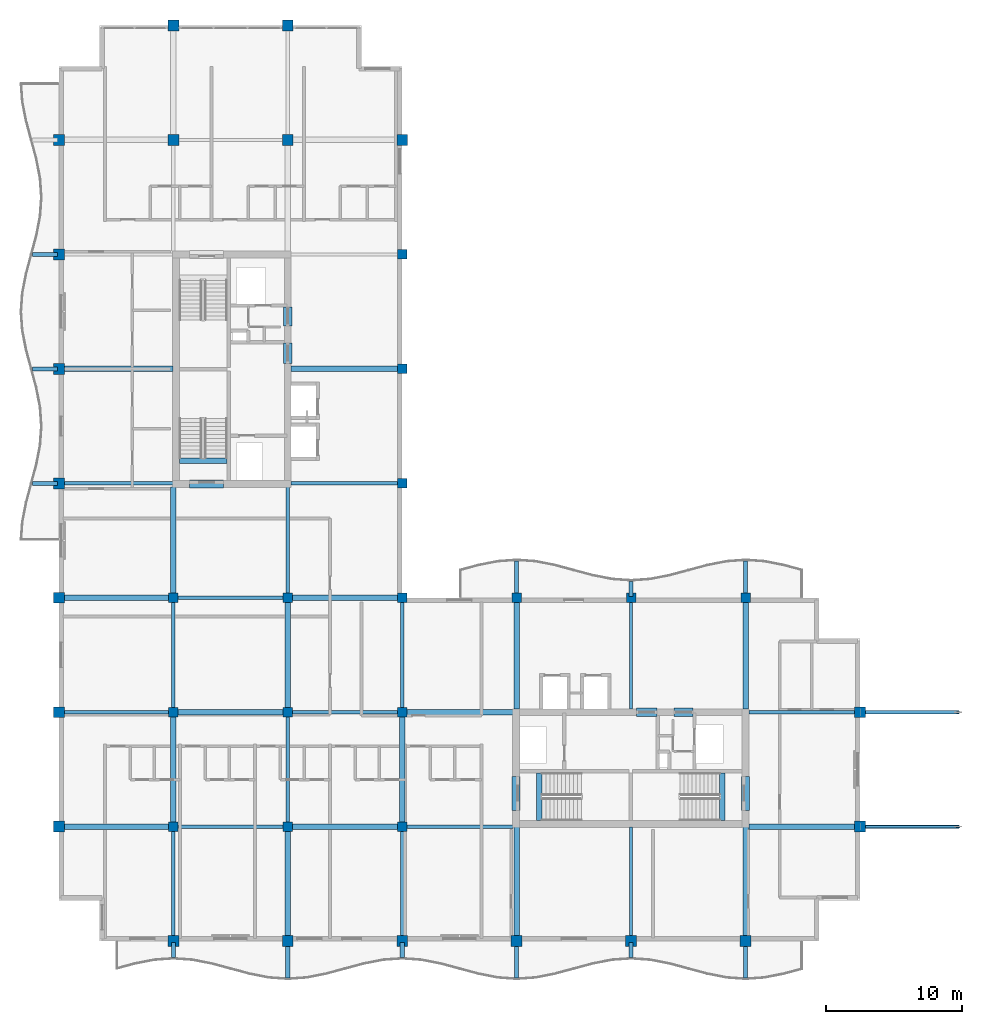
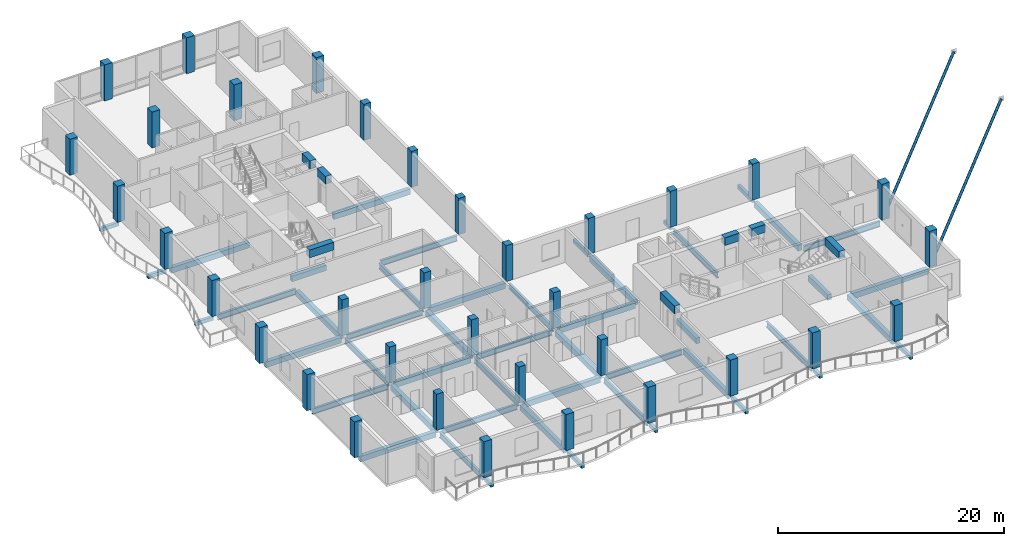
# One storey, part 1 of 17: 56 beams, 35 columns, 2 members.
"""IFC4 building model written with IfcOpenShell, lengths in metres."""

from ifc_helpers import new_model, si_unit, direction, frame, origin, origin_2d, place, context, subcontext, project, spatial, rectangle, hollow_circle, i_section, extrude, material, material_profile, profile_set, type_object, element, save


model = new_model("IFC4")

# Units and contexts
model_context = context("Model", 3, precision=1e-05, world=origin(), true_north=direction((0.0, 1.0)))
body_context = subcontext(model_context, "Body", "Model", "MODEL_VIEW")
ifc_project = project(units=[si_unit("LENGTHUNIT", "METRE"), si_unit("AREAUNIT", "SQUARE_METRE"), si_unit("VOLUMEUNIT", "CUBIC_METRE"), si_unit("PLANEANGLEUNIT", "RADIAN"), si_unit("MASSUNIT", "GRAM", prefix="KILO")], contexts=[model_context])

# Site, building, storey
site_placement = place(None, origin())
site = spatial("IfcSite", under=ifc_project, at=site_placement, CompositionType="ELEMENT")
building_placement = place(site_placement, origin())
building = spatial("IfcBuilding", under=site, at=building_placement, Name="Koriwani Terraces Tower", CompositionType="ELEMENT")
storey_placement = place(building_placement, frame((0.0, 0.0, 347.60009765625)))
storey = spatial("IfcBuildingStorey", under=building, at=storey_placement, Name="L86", CompositionType="ELEMENT", Elevation=347.60009765625)

# Columns
ifc_material_1 = material(Name="Concrete C50/60", Category="concrete")
ifc_material_profile_1 = material_profile(ifc_material_1, rectangle(XDim=0.699951171875, YDim=0.699951171875, at=origin_2d()), Name="Concrete C50/60", Category="LoadBearing")
ifc_profile_set_1 = profile_set([ifc_material_profile_1], Name="Concrete C50/60")
column_type_1 = type_object("IfcColumnType", Name="COL_RC_700X700", PredefinedType="COLUMN", material=ifc_profile_set_1)
for number, where, z_axis, x_axis, name in (
    (1, (16.800048828125, 16.800048828125, 0.0), (0.0, 0.0, 1.0), (1.0, 0.0, 0.0), "L86 Column 3/C"),
    (2, (16.800048828125, 25.199951171875, 0.0), (0.0, 0.0, 1.0), (1.0, 0.0, 0.0), "L86 Column 3/D"),
    (3, (16.800048828125, 33.60009765625, 0.0), (0.0, 0.0, 1.0), (1.0, 0.0, 0.0), "L86 Column 3/E"),
    (4, (25.199951171875, 16.800048828125, 0.0), (0.0, 0.0, 1.0), (1.0, 0.0, 0.0), "L86 Column 4/C"),
    (5, (25.199951171875, 25.199951171875, 0.0), (0.0, 0.0, 1.0), (1.0, 0.0, 0.0), "L86 Column 4/D"),
    (6, (25.199951171875, 33.60009765625, 0.0), (0.0, 0.0, 1.0), (1.0, 0.0, 0.0), "L86 Column 4/E"),
    (7, (33.60009765625, 16.800048828125, 0.0), (0.0, 0.0, 1.0), (1.0, 0.0, 0.0), "L86 Column 5/C"),
    (8, (33.60009765625, 25.199951171875, 0.0), (0.0, 0.0, 1.0), (1.0, 0.0, 0.0), "L86 Column 5/D"),
    (9, (33.60009765625, 33.60009765625, 0.0), (0.0, 0.0, 1.0), (1.0, 0.0, 0.0), "L86 Column 5/E"),
    (10, (33.60009765625, 42.0, 0.0), (0.0, 0.0, 1.0), (1.0, 0.0, 0.0), "L86 Column 5/F"),
    (11, (33.60009765625, 50.39990234375, 0.0), (0.0, 0.0, 1.0), (1.0, 0.0, 0.0), "L86 Column 5/G"),
    (12, (33.60009765625, 58.800048828125, 0.0), (0.0, 0.0, 1.0), (1.0, 0.0, 0.0), "L86 Column 5/H"),
    (13, (42.0, 33.60009765625, 0.0), (0.0, 0.0, 1.0), (1.0, 0.0, 0.0), "L86 Column 6/E"),
    (14, (50.39990234375, 33.60009765625, 0.0), (0.0, 0.0, 1.0), (1.0, 0.0, 0.0), "L86 Column 7/E"),
    (15, (58.800048828125, 33.60009765625, 0.0), (0.0, 0.0, 1.0), (1.0, 0.0, 0.0), "L86 Column 8/E"),
):
    element("IfcColumn", number, at=place(storey_placement, frame(where, z_axis=z_axis, x_axis=x_axis)), inside=storey, type_object=column_type_1, Name=name, PredefinedType="COLUMN", context=body_context, shape_type="SweptSolid", body=[
        extrude(rectangle(XDim=0.699951171875, YDim=0.699951171875, at=origin_2d()), origin(), (0.0, 0.0, 1.0), 3.89990234375),
    ])
ifc_material_profile_2 = material_profile(ifc_material_1, rectangle(XDim=0.800048828125, YDim=0.800048828125, at=origin_2d()), Name="Concrete C50/60", Category="LoadBearing")
ifc_profile_set_2 = profile_set([ifc_material_profile_2], Name="Concrete C50/60")
column_type_2 = type_object("IfcColumnType", Name="COL_RC_800X800", PredefinedType="COLUMN", material=ifc_profile_set_2)
for number, where, z_axis, x_axis, name in (
    (16, (8.39990234375, 16.800048828125, 0.0), (0.0, 0.0, 1.0), (1.0, 0.0, 0.0), "L86 Column 2/C"),
    (17, (8.39990234375, 25.199951171875, 0.0), (0.0, 0.0, 1.0), (1.0, 0.0, 0.0), "L86 Column 2/D"),
    (18, (8.39990234375, 33.60009765625, 0.0), (0.0, 0.0, 1.0), (1.0, 0.0, 0.0), "L86 Column 2/E"),
    (19, (8.39990234375, 42.0, 0.0), (0.0, 0.0, 1.0), (1.0, 0.0, 0.0), "L86 Column 2/F"),
    (20, (8.39990234375, 50.39990234375, 0.0), (0.0, 0.0, 1.0), (1.0, 0.0, 0.0), "L86 Column 2/G"),
    (21, (8.39990234375, 58.800048828125, 0.0), (0.0, 0.0, 1.0), (1.0, 0.0, 0.0), "L86 Column 2/H"),
    (22, (8.39990234375, 67.199951171875, 0.0), (0.0, 0.0, 1.0), (1.0, 0.0, 0.0), "L86 Column 2/I"),
    (23, (16.800048828125, 8.39990234375, 0.0), (0.0, 0.0, 1.0), (1.0, 0.0, 0.0), "L86 Column 3/B"),
    (24, (16.800048828125, 67.199951171875, 0.0), (0.0, 0.0, 1.0), (1.0, 0.0, 0.0), "L86 Column 3/I"),
    (25, (16.800048828125, 75.60009765625, 0.0), (0.0, 0.0, 1.0), (1.0, 0.0, 0.0), "L86 Column 3/J"),
    (26, (25.199951171875, 8.39990234375, 0.0), (0.0, 0.0, 1.0), (1.0, 0.0, 0.0), "L86 Column 4/B"),
    (27, (25.199951171875, 67.199951171875, 0.0), (0.0, 0.0, 1.0), (1.0, 0.0, 0.0), "L86 Column 4/I"),
    (28, (25.199951171875, 75.60009765625, 0.0), (0.0, 0.0, 1.0), (1.0, 0.0, 0.0), "L86 Column 4/J"),
    (29, (33.60009765625, 8.39990234375, 0.0), (0.0, 0.0, 1.0), (1.0, 0.0, 0.0), "L86 Column 5/B"),
    (30, (33.60009765625, 67.199951171875, 0.0), (0.0, 0.0, 1.0), (1.0, 0.0, 0.0), "L86 Column 5/I"),
    (31, (42.0, 8.39990234375, 0.0), (0.0, 0.0, 1.0), (1.0, 0.0, 0.0), "L86 Column 6/B"),
    (32, (50.39990234375, 8.39990234375, 0.0), (0.0, 0.0, 1.0), (1.0, 0.0, 0.0), "L86 Column 7/B"),
    (33, (58.800048828125, 8.39990234375, 0.0), (0.0, 0.0, 1.0), (1.0, 0.0, 0.0), "L86 Column 8/B"),
    (34, (67.199951171875, 16.800048828125, 0.0), (0.0, 0.0, 1.0), (1.0, 0.0, 0.0), "L86 Column 9/C"),
    (35, (67.199951171875, 25.199951171875, 0.0), (0.0, 0.0, 1.0), (1.0, 0.0, 0.0), "L86 Column 9/D"),
):
    element("IfcColumn", number, at=place(storey_placement, frame(where, z_axis=z_axis, x_axis=x_axis)), inside=storey, type_object=column_type_2, Name=name, PredefinedType="COLUMN", context=body_context, shape_type="SweptSolid", body=[
        extrude(rectangle(XDim=0.800048828125, YDim=0.800048828125, at=origin_2d()), origin(), (0.0, 0.0, 1.0), 3.89990234375),
    ])

# Beams
ifc_material_2 = material(Name="Concrete C40/50", Category="concrete")
ifc_material_profile_3 = material_profile(ifc_material_2, rectangle(XDim=0.300048828125, YDim=0.39990234375, at=origin_2d()), Name="Concrete C40/50", Category="LoadBearing")
ifc_profile_set_3 = profile_set([ifc_material_profile_3], Name="Concrete C40/50")
beam_type_1 = type_object("IfcBeamType", Name="BEAM_RC_BALCONY_RIB_300X400", PredefinedType="JOIST", material=ifc_profile_set_3)
beam_1_placement = place(storey_placement, frame((16.800048828125, 7.199951171875, -0.43017578125), z_axis=(0.0, 1.0, 0.0), x_axis=(-1.0, 0.0, 0.0)))
element("IfcBeam", 36, at=beam_1_placement, inside=storey, type_object=beam_type_1, Name="L86 Balcony Bracket Rib S-1", PredefinedType="JOIST", context=body_context, shape_type="SweptSolid", body=[
    extrude(rectangle(XDim=0.300048828125, YDim=0.39990234375, at=origin_2d()), origin(), (0.0, 0.0, 1.0), 1.10009765625),
])
beam_2_placement = place(storey_placement, frame((25.199951171875, 5.699951171875, -0.43017578125), z_axis=(0.0, 1.0, 0.0), x_axis=(-1.0, 0.0, 0.0)))
element("IfcBeam", 37, at=beam_2_placement, inside=storey, type_object=beam_type_1, Name="L86 Balcony Bracket Rib S-2", PredefinedType="JOIST", context=body_context, shape_type="SweptSolid", body=[
    extrude(rectangle(XDim=0.300048828125, YDim=0.39990234375, at=origin_2d()), origin(), (0.0, 0.0, 1.0), 2.60009765625),
])
beam_3_placement = place(storey_placement, frame((33.60009765625, 7.199951171875, -0.43017578125), z_axis=(0.0, 1.0, 0.0), x_axis=(-1.0, 0.0, 0.0)))
element("IfcBeam", 38, at=beam_3_placement, inside=storey, type_object=beam_type_1, Name="L86 Balcony Bracket Rib S-3", PredefinedType="JOIST", context=body_context, shape_type="SweptSolid", body=[
    extrude(rectangle(XDim=0.300048828125, YDim=0.39990234375, at=origin_2d()), origin(), (0.0, 0.0, 1.0), 1.10009765625),
])
beam_4_placement = place(storey_placement, frame((42.0, 5.699951171875, -0.43017578125), z_axis=(0.0, 1.0, 0.0), x_axis=(-1.0, 0.0, 0.0)))
element("IfcBeam", 39, at=beam_4_placement, inside=storey, type_object=beam_type_1, Name="L86 Balcony Bracket Rib S-4", PredefinedType="JOIST", context=body_context, shape_type="SweptSolid", body=[
    extrude(rectangle(XDim=0.300048828125, YDim=0.39990234375, at=origin_2d()), origin(), (0.0, 0.0, 1.0), 2.60009765625),
])
beam_5_placement = place(storey_placement, frame((50.39990234375, 7.199951171875, -0.43017578125), z_axis=(0.0, 1.0, 0.0), x_axis=(-1.0, 0.0, 0.0)))
element("IfcBeam", 40, at=beam_5_placement, inside=storey, type_object=beam_type_1, Name="L86 Balcony Bracket Rib S-5", PredefinedType="JOIST", context=body_context, shape_type="SweptSolid", body=[
    extrude(rectangle(XDim=0.300048828125, YDim=0.39990234375, at=origin_2d()), origin(), (0.0, 0.0, 1.0), 1.10009765625),
])
beam_6_placement = place(storey_placement, frame((58.800048828125, 5.699951171875, -0.43017578125), z_axis=(0.0, 1.0, 0.0), x_axis=(-1.0, 0.0, 0.0)))
element("IfcBeam", 41, at=beam_6_placement, inside=storey, type_object=beam_type_1, Name="L86 Balcony Bracket Rib S-6", PredefinedType="JOIST", context=body_context, shape_type="SweptSolid", body=[
    extrude(rectangle(XDim=0.300048828125, YDim=0.39990234375, at=origin_2d()), origin(), (0.0, 0.0, 1.0), 2.60009765625),
])
for number, where, z_axis, x_axis, name in (
    (42, (6.449951171875, 42.0, -0.43017578125), (1.0, 0.0, 0.0), (0.0, 1.0, 0.0), "L86 Balcony Bracket Rib W-1"),
    (43, (6.449951171875, 50.39990234375, -0.43017578125), (1.0, 0.0, 0.0), (0.0, 1.0, 0.0), "L86 Balcony Bracket Rib W-2"),
    (44, (6.449951171875, 58.800048828125, -0.43017578125), (1.0, 0.0, 0.0), (0.0, 1.0, 0.0), "L86 Balcony Bracket Rib W-3"),
):
    element("IfcBeam", number, at=place(storey_placement, frame(where, z_axis=z_axis, x_axis=x_axis)), inside=storey, type_object=beam_type_1, Name=name, PredefinedType="JOIST", context=body_context, shape_type="SweptSolid", body=[
        extrude(rectangle(XDim=0.300048828125, YDim=0.39990234375, at=origin_2d()), origin(), (0.0, 0.0, 1.0), 1.85009765625),
    ])
beam_7_placement = place(storey_placement, frame((42.0, 33.699951171875, -0.43017578125), z_axis=(0.0, 1.0, 0.0), x_axis=(-1.0, 0.0, 0.0)))
element("IfcBeam", 45, at=beam_7_placement, inside=storey, type_object=beam_type_1, Name="L86 Balcony Bracket Rib NE-1", PredefinedType="JOIST", context=body_context, shape_type="SweptSolid", body=[
    extrude(rectangle(XDim=0.300048828125, YDim=0.39990234375, at=origin_2d()), origin(), (0.0, 0.0, 1.0), 2.60009765625),
])
beam_8_placement = place(storey_placement, frame((50.39990234375, 33.699951171875, -0.43017578125), z_axis=(0.0, 1.0, 0.0), x_axis=(-1.0, 0.0, 0.0)))
element("IfcBeam", 46, at=beam_8_placement, inside=storey, type_object=beam_type_1, Name="L86 Balcony Bracket Rib NE-2", PredefinedType="JOIST", context=body_context, shape_type="SweptSolid", body=[
    extrude(rectangle(XDim=0.300048828125, YDim=0.39990234375, at=origin_2d()), origin(), (0.0, 0.0, 1.0), 1.10009765625),
])
beam_9_placement = place(storey_placement, frame((58.800048828125, 33.699951171875, -0.43017578125), z_axis=(0.0, 1.0, 0.0), x_axis=(-1.0, 0.0, 0.0)))
element("IfcBeam", 47, at=beam_9_placement, inside=storey, type_object=beam_type_1, Name="L86 Balcony Bracket Rib NE-3", PredefinedType="JOIST", context=body_context, shape_type="SweptSolid", body=[
    extrude(rectangle(XDim=0.300048828125, YDim=0.39990234375, at=origin_2d()), origin(), (0.0, 0.0, 1.0), 2.60009765625),
])
ifc_material_profile_4 = material_profile(ifc_material_1, rectangle(XDim=0.60009765625, YDim=0.85009765625, at=origin_2d()), Name="Concrete C50/60", Category="LoadBearing")
ifc_profile_set_4 = profile_set([ifc_material_profile_4], Name="Concrete C50/60")
beam_type_2 = type_object("IfcBeamType", Name="BEAM_RC_COUPLING_600X850", PredefinedType="LINTEL", material=ifc_profile_set_4)
beam_10_placement = place(storey_placement, frame((25.199951171875, 50.800048828125, 3.244873046875), z_axis=(0.0, 1.0, 0.0), x_axis=(-1.0, 0.0, 0.0)))
element("IfcBeam", 48, at=beam_10_placement, inside=storey, type_object=beam_type_2, Name="L86 Core Coupling Lintel Beam WE1", PredefinedType="LINTEL", context=body_context, shape_type="SweptSolid", body=[
    extrude(rectangle(XDim=0.60009765625, YDim=0.85009765625, at=origin_2d()), origin(), (0.0, 0.0, 1.0), 1.47998046875),
])
beam_11_placement = place(storey_placement, frame((25.199951171875, 53.550048828125, 3.244873046875), z_axis=(0.0, 1.0, 0.0), x_axis=(-1.0, 0.0, 0.0)))
element("IfcBeam", 49, at=beam_11_placement, inside=storey, type_object=beam_type_2, Name="L86 Core Coupling Lintel Beam WE2", PredefinedType="LINTEL", context=body_context, shape_type="SweptSolid", body=[
    extrude(rectangle(XDim=0.60009765625, YDim=0.85009765625, at=origin_2d()), origin(), (0.0, 0.0, 1.0), 1.39990234375),
])
beam_12_placement = place(storey_placement, frame((18.0, 41.949951171875, 3.244873046875), z_axis=(1.0, 0.0, 0.0), x_axis=(0.0, 1.0, 0.0)))
element("IfcBeam", 50, at=beam_12_placement, inside=storey, type_object=beam_type_2, Name="L86 Core Coupling Lintel Beam WS", PredefinedType="LINTEL", context=body_context, shape_type="SweptSolid", body=[
    extrude(rectangle(XDim=0.60009765625, YDim=0.85009765625, at=origin_2d()), origin(), (0.0, 0.0, 1.0), 2.5),
])
beam_13_placement = place(storey_placement, frame((50.800048828125, 25.199951171875, 3.244873046875), z_axis=(1.0, 0.0, 0.0), x_axis=(0.0, 1.0, 0.0)))
element("IfcBeam", 51, at=beam_13_placement, inside=storey, type_object=beam_type_2, Name="L86 Core Coupling Lintel Beam EN1", PredefinedType="LINTEL", context=body_context, shape_type="SweptSolid", body=[
    extrude(rectangle(XDim=0.60009765625, YDim=0.85009765625, at=origin_2d()), origin(), (0.0, 0.0, 1.0), 1.47998046875),
])
beam_14_placement = place(storey_placement, frame((53.550048828125, 25.199951171875, 3.244873046875), z_axis=(1.0, 0.0, 0.0), x_axis=(0.0, 1.0, 0.0)))
element("IfcBeam", 52, at=beam_14_placement, inside=storey, type_object=beam_type_2, Name="L86 Core Coupling Lintel Beam EN2", PredefinedType="LINTEL", context=body_context, shape_type="SweptSolid", body=[
    extrude(rectangle(XDim=0.60009765625, YDim=0.85009765625, at=origin_2d()), origin(), (0.0, 0.0, 1.0), 1.39990234375),
])
for number, where, z_axis, x_axis, name in (
    (53, (41.949951171875, 18.0, 3.244873046875), (0.0, 1.0, 0.0), (-1.0, 0.0, 0.0), "L86 Core Coupling Lintel Beam EW"),
    (54, (58.800048828125, 18.0, 3.244873046875), (0.0, 1.0, 0.0), (-1.0, 0.0, 0.0), "L86 Core Coupling Lintel Beam EE"),
):
    element("IfcBeam", number, at=place(storey_placement, frame(where, z_axis=z_axis, x_axis=x_axis)), inside=storey, type_object=beam_type_2, Name=name, PredefinedType="LINTEL", context=body_context, shape_type="SweptSolid", body=[
        extrude(rectangle(XDim=0.60009765625, YDim=0.85009765625, at=origin_2d()), origin(), (0.0, 0.0, 1.0), 2.5),
    ])
ifc_material_profile_5 = material_profile(ifc_material_2, rectangle(XDim=0.39990234375, YDim=0.60009765625, at=origin_2d()), Name="Concrete C40/50", Category="LoadBearing")
ifc_profile_set_5 = profile_set([ifc_material_profile_5], Name="Concrete C40/50")
beam_type_3 = type_object("IfcBeamType", Name="BEAM_RC_GRID_400X600", PredefinedType="BEAM", material=ifc_profile_set_5)
for number, where, z_axis, x_axis, name in (
    (55, (17.25, 43.655029296875, -0.300048828125), (1.0, 0.0, 0.0), (0.0, 1.0, 0.0), "L86 Stairwell Header Trimmer Beam ST-W1"),
    (56, (43.655029296875, 17.25, -0.300048828125), (0.0, 1.0, 0.0), (-1.0, 0.0, 0.0), "L86 Stairwell Header Trimmer Beam ST-E1"),
    (57, (57.094970703125, 17.25, -0.300048828125), (0.0, 1.0, 0.0), (-1.0, 0.0, 0.0), "L86 Stairwell Header Trimmer Beam ST-E2"),
):
    element("IfcBeam", number, at=place(storey_placement, frame(where, z_axis=z_axis, x_axis=x_axis)), inside=storey, type_object=beam_type_3, Name=name, PredefinedType="BEAM", context=body_context, shape_type="SweptSolid", body=[
        extrude(rectangle(XDim=0.39990234375, YDim=0.60009765625, at=origin_2d()), origin(), (0.0, 0.0, 1.0), 3.5),
    ])
beam_15_placement = place(storey_placement, frame((8.780029296875, 16.800048828125, -0.530029296875), z_axis=(1.0, 0.0, 0.0), x_axis=(0.0, 1.0, 0.0)))
element("IfcBeam", 58, at=beam_15_placement, inside=storey, type_object=beam_type_3, Name="L86 Grid Beam C (8.4-16.8m)", PredefinedType="BEAM", context=body_context, shape_type="SweptSolid", body=[
    extrude(rectangle(XDim=0.39990234375, YDim=0.60009765625, at=origin_2d()), origin(), (0.0, 0.0, 1.0), 7.68994140625),
])
beam_16_placement = place(storey_placement, frame((25.530029296875, 16.800048828125, -0.530029296875), z_axis=(1.0, 0.0, 0.0), x_axis=(0.0, 1.0, 0.0)))
element("IfcBeam", 59, at=beam_16_placement, inside=storey, type_object=beam_type_3, Name="L86 Grid Beam C (25.2-33.6m)", PredefinedType="BEAM", context=body_context, shape_type="SweptSolid", body=[
    extrude(rectangle(XDim=0.39990234375, YDim=0.60009765625, at=origin_2d()), origin(), (0.0, 0.0, 1.0), 7.739990234375),
])
beam_17_placement = place(storey_placement, frame((59.030029296875, 16.800048828125, -0.530029296875), z_axis=(1.0, 0.0, 0.0), x_axis=(0.0, 1.0, 0.0)))
element("IfcBeam", 60, at=beam_17_placement, inside=storey, type_object=beam_type_3, Name="L86 Grid Beam C (58.8-67.2m)", PredefinedType="BEAM", context=body_context, shape_type="SweptSolid", body=[
    extrude(rectangle(XDim=0.39990234375, YDim=0.60009765625, at=origin_2d()), origin(), (0.0, 0.0, 1.0), 7.7900390625),
])
beam_18_placement = place(storey_placement, frame((17.1298828125, 25.199951171875, -0.530029296875), z_axis=(1.0, 0.0, 0.0), x_axis=(0.0, 1.0, 0.0)))
element("IfcBeam", 61, at=beam_18_placement, inside=storey, type_object=beam_type_3, Name="L86 Grid Beam D (16.8-25.2m)", PredefinedType="BEAM", context=body_context, shape_type="SweptSolid", body=[
    extrude(rectangle(XDim=0.39990234375, YDim=0.60009765625, at=origin_2d()), origin(), (0.0, 0.0, 1.0), 7.740234375),
])
beam_19_placement = place(storey_placement, frame((33.929931640625, 25.199951171875, -0.530029296875), z_axis=(1.0, 0.0, 0.0), x_axis=(0.0, 1.0, 0.0)))
element("IfcBeam", 62, at=beam_19_placement, inside=storey, type_object=beam_type_3, Name="L86 Grid Beam D (33.6-42.0m)", PredefinedType="BEAM", context=body_context, shape_type="SweptSolid", body=[
    extrude(rectangle(XDim=0.39990234375, YDim=0.60009765625, at=origin_2d()), origin(), (0.0, 0.0, 1.0), 7.7900390625),
])
beam_20_placement = place(storey_placement, frame((8.780029296875, 33.60009765625, -0.530029296875), z_axis=(1.0, 0.0, 0.0), x_axis=(0.0, 1.0, 0.0)))
element("IfcBeam", 63, at=beam_20_placement, inside=storey, type_object=beam_type_3, Name="L86 Grid Beam E (8.4-16.8m)", PredefinedType="BEAM", context=body_context, shape_type="SweptSolid", body=[
    extrude(rectangle(XDim=0.39990234375, YDim=0.60009765625, at=origin_2d()), origin(), (0.0, 0.0, 1.0), 7.68994140625),
])
beam_21_placement = place(storey_placement, frame((25.530029296875, 33.60009765625, -0.530029296875), z_axis=(1.0, 0.0, 0.0), x_axis=(0.0, 1.0, 0.0)))
element("IfcBeam", 64, at=beam_21_placement, inside=storey, type_object=beam_type_3, Name="L86 Grid Beam E (25.2-33.6m)", PredefinedType="BEAM", context=body_context, shape_type="SweptSolid", body=[
    extrude(rectangle(XDim=0.39990234375, YDim=0.60009765625, at=origin_2d()), origin(), (0.0, 0.0, 1.0), 7.739990234375),
])
beam_22_placement = place(storey_placement, frame((8.780029296875, 50.39990234375, -0.530029296875), z_axis=(1.0, 0.0, 0.0), x_axis=(0.0, 1.0, 0.0)))
element("IfcBeam", 65, at=beam_22_placement, inside=storey, type_object=beam_type_3, Name="L86 Grid Beam G (8.4-16.8m)", PredefinedType="BEAM", context=body_context, shape_type="SweptSolid", body=[
    extrude(rectangle(XDim=0.39990234375, YDim=0.60009765625, at=origin_2d()), origin(), (0.0, 0.0, 1.0), 7.989990234375),
])
beam_23_placement = place(storey_placement, frame((25.429931640625, 50.39990234375, -0.530029296875), z_axis=(1.0, 0.0, 0.0), x_axis=(0.0, 1.0, 0.0)))
element("IfcBeam", 66, at=beam_23_placement, inside=storey, type_object=beam_type_3, Name="L86 Grid Beam G (25.2-33.6m)", PredefinedType="BEAM", context=body_context, shape_type="SweptSolid", body=[
    extrude(rectangle(XDim=0.39990234375, YDim=0.60009765625, at=origin_2d()), origin(), (0.0, 0.0, 1.0), 7.840087890625),
])
beam_24_placement = place(storey_placement, frame((16.800048828125, 17.1298828125, -0.530029296875), z_axis=(0.0, 1.0, 0.0), x_axis=(-1.0, 0.0, 0.0)))
element("IfcBeam", 67, at=beam_24_placement, inside=storey, type_object=beam_type_3, Name="L86 Grid Beam 3 (16.8-25.2m)", PredefinedType="BEAM", context=body_context, shape_type="SweptSolid", body=[
    extrude(rectangle(XDim=0.39990234375, YDim=0.60009765625, at=origin_2d()), origin(), (0.0, 0.0, 1.0), 7.740234375),
])
beam_25_placement = place(storey_placement, frame((16.800048828125, 33.929931640625, -0.530029296875), z_axis=(0.0, 1.0, 0.0), x_axis=(-1.0, 0.0, 0.0)))
element("IfcBeam", 68, at=beam_25_placement, inside=storey, type_object=beam_type_3, Name="L86 Grid Beam 3 (33.6-42.0m)", PredefinedType="BEAM", context=body_context, shape_type="SweptSolid", body=[
    extrude(rectangle(XDim=0.39990234375, YDim=0.60009765625, at=origin_2d()), origin(), (0.0, 0.0, 1.0), 7.7900390625),
])
beam_26_placement = place(storey_placement, frame((25.199951171875, 8.780029296875, -0.530029296875), z_axis=(0.0, 1.0, 0.0), x_axis=(-1.0, 0.0, 0.0)))
element("IfcBeam", 69, at=beam_26_placement, inside=storey, type_object=beam_type_3, Name="L86 Grid Beam 4 (8.4-16.8m)", PredefinedType="BEAM", context=body_context, shape_type="SweptSolid", body=[
    extrude(rectangle(XDim=0.39990234375, YDim=0.60009765625, at=origin_2d()), origin(), (0.0, 0.0, 1.0), 7.68994140625),
])
beam_27_placement = place(storey_placement, frame((25.199951171875, 25.530029296875, -0.530029296875), z_axis=(0.0, 1.0, 0.0), x_axis=(-1.0, 0.0, 0.0)))
element("IfcBeam", 70, at=beam_27_placement, inside=storey, type_object=beam_type_3, Name="L86 Grid Beam 4 (25.2-33.6m)", PredefinedType="BEAM", context=body_context, shape_type="SweptSolid", body=[
    extrude(rectangle(XDim=0.39990234375, YDim=0.60009765625, at=origin_2d()), origin(), (0.0, 0.0, 1.0), 7.739990234375),
])
beam_28_placement = place(storey_placement, frame((33.60009765625, 17.1298828125, -0.530029296875), z_axis=(0.0, 1.0, 0.0), x_axis=(-1.0, 0.0, 0.0)))
element("IfcBeam", 71, at=beam_28_placement, inside=storey, type_object=beam_type_3, Name="L86 Grid Beam 5 (16.8-25.2m)", PredefinedType="BEAM", context=body_context, shape_type="SweptSolid", body=[
    extrude(rectangle(XDim=0.39990234375, YDim=0.60009765625, at=origin_2d()), origin(), (0.0, 0.0, 1.0), 7.740234375),
])
beam_29_placement = place(storey_placement, frame((42.0, 8.780029296875, -0.530029296875), z_axis=(0.0, 1.0, 0.0), x_axis=(-1.0, 0.0, 0.0)))
element("IfcBeam", 72, at=beam_29_placement, inside=storey, type_object=beam_type_3, Name="L86 Grid Beam 6 (8.4-16.8m)", PredefinedType="BEAM", context=body_context, shape_type="SweptSolid", body=[
    extrude(rectangle(XDim=0.39990234375, YDim=0.60009765625, at=origin_2d()), origin(), (0.0, 0.0, 1.0), 7.989990234375),
])
beam_30_placement = place(storey_placement, frame((42.0, 25.429931640625, -0.530029296875), z_axis=(0.0, 1.0, 0.0), x_axis=(-1.0, 0.0, 0.0)))
element("IfcBeam", 73, at=beam_30_placement, inside=storey, type_object=beam_type_3, Name="L86 Grid Beam 6 (25.2-33.6m)", PredefinedType="BEAM", context=body_context, shape_type="SweptSolid", body=[
    extrude(rectangle(XDim=0.39990234375, YDim=0.60009765625, at=origin_2d()), origin(), (0.0, 0.0, 1.0), 7.840087890625),
])
beam_31_placement = place(storey_placement, frame((58.800048828125, 8.780029296875, -0.530029296875), z_axis=(0.0, 1.0, 0.0), x_axis=(-1.0, 0.0, 0.0)))
element("IfcBeam", 74, at=beam_31_placement, inside=storey, type_object=beam_type_3, Name="L86 Grid Beam 8 (8.4-16.8m)", PredefinedType="BEAM", context=body_context, shape_type="SweptSolid", body=[
    extrude(rectangle(XDim=0.39990234375, YDim=0.60009765625, at=origin_2d()), origin(), (0.0, 0.0, 1.0), 7.989990234375),
])
beam_32_placement = place(storey_placement, frame((58.800048828125, 25.429931640625, -0.530029296875), z_axis=(0.0, 1.0, 0.0), x_axis=(-1.0, 0.0, 0.0)))
element("IfcBeam", 75, at=beam_32_placement, inside=storey, type_object=beam_type_3, Name="L86 Grid Beam 8 (25.2-33.6m)", PredefinedType="BEAM", context=body_context, shape_type="SweptSolid", body=[
    extrude(rectangle(XDim=0.39990234375, YDim=0.60009765625, at=origin_2d()), origin(), (0.0, 0.0, 1.0), 7.840087890625),
])

# Members
ifc_material_3 = material(Name="Steel ASTM A572 Grade 50", Category="steel")
ifc_material_profile_6 = material_profile(ifc_material_3, hollow_circle(Radius=0.136474609375, WallThickness=0.010009765625, at=origin_2d()), Name="Steel ASTM A572 Grade 50", Category="LoadBearing")
ifc_profile_set_6 = profile_set([ifc_material_profile_6], Name="Steel ASTM A572 Grade 50")
member_type = type_object("IfcMemberType", Name="CROWN_FRAME_BRACE_CHS273X10", PredefinedType="USERDEFINED", material=ifc_profile_set_6)
for number, where, z_axis, x_axis, name in (
    (76, (67.199951171875, 16.800048828125, 0.0), (0.42352925871, 0.0, 0.905882424499), (0.0, 1.0, 0.0), "Sky-Lounge Exterior Raking Mega-Strut RK-01"),
    (77, (67.199951171875, 25.199951171875, 0.0), (0.42352925871, 0.0, 0.905882424499), (0.0, 1.0, 0.0), "Sky-Lounge Exterior Raking Mega-Strut RK-02"),
):
    element("IfcMember", number, at=place(storey_placement, frame(where, z_axis=z_axis, x_axis=x_axis)), inside=storey, type_object=member_type, Name=name, ObjectType="CROWN FRAME", PredefinedType="USERDEFINED", context=body_context, shape_type="SweptSolid", body=[
        extrude(hollow_circle(Radius=0.136474609375, WallThickness=0.010009765625, at=origin_2d()), origin(), (0.0, 0.0, 1.0), 17.0),
    ])

# Beams
ifc_material_profile_7 = material_profile(ifc_material_3, i_section(OverallWidth=0.23095703125, OverallDepth=0.616943359375, WebThickness=0.015380859375, FlangeThickness=0.0244140625, at=origin_2d()), Name="Steel ASTM A572 Grade 50", Category="LoadBearing")
ifc_profile_set_7 = profile_set([ifc_material_profile_7], Name="Steel ASTM A572 Grade 50")
beam_type_4 = type_object("IfcBeamType", Name="STEEL_BEAM_W610X195", PredefinedType="BEAM", material=ifc_profile_set_7)
beam_33_placement = place(storey_placement, frame((17.1298828125, 16.800048828125, -0.53857421875), z_axis=(1.0, 0.0, 0.0), x_axis=(0.0, 1.0, 0.0)))
element("IfcBeam", 78, at=beam_33_placement, inside=storey, type_object=beam_type_4, Name="L86 Grid Beam C (16.8-25.2m)", PredefinedType="BEAM", context=body_context, shape_type="SweptSolid", body=[
    extrude(i_section(OverallWidth=0.23095703125, OverallDepth=0.616943359375, WebThickness=0.015380859375, FlangeThickness=0.0244140625, at=origin_2d()), origin(), (0.0, 0.0, 1.0), 7.740234375),
])
beam_34_placement = place(storey_placement, frame((33.929931640625, 16.800048828125, -0.53857421875), z_axis=(1.0, 0.0, 0.0), x_axis=(0.0, 1.0, 0.0)))
element("IfcBeam", 79, at=beam_34_placement, inside=storey, type_object=beam_type_4, Name="L86 Grid Beam C (33.6-42.0m)", PredefinedType="BEAM", context=body_context, shape_type="SweptSolid", body=[
    extrude(i_section(OverallWidth=0.23095703125, OverallDepth=0.616943359375, WebThickness=0.015380859375, FlangeThickness=0.0244140625, at=origin_2d()), origin(), (0.0, 0.0, 1.0), 7.7900390625),
])
beam_35_placement = place(storey_placement, frame((8.780029296875, 25.199951171875, -0.53857421875), z_axis=(1.0, 0.0, 0.0), x_axis=(0.0, 1.0, 0.0)))
element("IfcBeam", 80, at=beam_35_placement, inside=storey, type_object=beam_type_4, Name="L86 Grid Beam D (8.4-16.8m)", PredefinedType="BEAM", context=body_context, shape_type="SweptSolid", body=[
    extrude(i_section(OverallWidth=0.23095703125, OverallDepth=0.616943359375, WebThickness=0.015380859375, FlangeThickness=0.0244140625, at=origin_2d()), origin(), (0.0, 0.0, 1.0), 7.68994140625),
])
beam_36_placement = place(storey_placement, frame((25.530029296875, 25.199951171875, -0.53857421875), z_axis=(1.0, 0.0, 0.0), x_axis=(0.0, 1.0, 0.0)))
element("IfcBeam", 81, at=beam_36_placement, inside=storey, type_object=beam_type_4, Name="L86 Grid Beam D (25.2-33.6m)", PredefinedType="BEAM", context=body_context, shape_type="SweptSolid", body=[
    extrude(i_section(OverallWidth=0.23095703125, OverallDepth=0.616943359375, WebThickness=0.015380859375, FlangeThickness=0.0244140625, at=origin_2d()), origin(), (0.0, 0.0, 1.0), 7.739990234375),
])
beam_37_placement = place(storey_placement, frame((59.030029296875, 25.199951171875, -0.53857421875), z_axis=(1.0, 0.0, 0.0), x_axis=(0.0, 1.0, 0.0)))
element("IfcBeam", 82, at=beam_37_placement, inside=storey, type_object=beam_type_4, Name="L86 Grid Beam D (58.8-67.2m)", PredefinedType="BEAM", context=body_context, shape_type="SweptSolid", body=[
    extrude(i_section(OverallWidth=0.23095703125, OverallDepth=0.616943359375, WebThickness=0.015380859375, FlangeThickness=0.0244140625, at=origin_2d()), origin(), (0.0, 0.0, 1.0), 7.7900390625),
])
beam_38_placement = place(storey_placement, frame((17.1298828125, 33.60009765625, -0.53857421875), z_axis=(1.0, 0.0, 0.0), x_axis=(0.0, 1.0, 0.0)))
element("IfcBeam", 83, at=beam_38_placement, inside=storey, type_object=beam_type_4, Name="L86 Grid Beam E (16.8-25.2m)", PredefinedType="BEAM", context=body_context, shape_type="SweptSolid", body=[
    extrude(i_section(OverallWidth=0.23095703125, OverallDepth=0.616943359375, WebThickness=0.015380859375, FlangeThickness=0.0244140625, at=origin_2d()), origin(), (0.0, 0.0, 1.0), 7.740234375),
])
beam_39_placement = place(storey_placement, frame((8.780029296875, 42.0, -0.53857421875), z_axis=(1.0, 0.0, 0.0), x_axis=(0.0, 1.0, 0.0)))
element("IfcBeam", 84, at=beam_39_placement, inside=storey, type_object=beam_type_4, Name="L86 Grid Beam F (8.4-16.8m)", PredefinedType="BEAM", context=body_context, shape_type="SweptSolid", body=[
    extrude(i_section(OverallWidth=0.23095703125, OverallDepth=0.616943359375, WebThickness=0.015380859375, FlangeThickness=0.0244140625, at=origin_2d()), origin(), (0.0, 0.0, 1.0), 7.989990234375),
])
beam_40_placement = place(storey_placement, frame((25.429931640625, 42.0, -0.53857421875), z_axis=(1.0, 0.0, 0.0), x_axis=(0.0, 1.0, 0.0)))
element("IfcBeam", 85, at=beam_40_placement, inside=storey, type_object=beam_type_4, Name="L86 Grid Beam F (25.2-33.6m)", PredefinedType="BEAM", context=body_context, shape_type="SweptSolid", body=[
    extrude(i_section(OverallWidth=0.23095703125, OverallDepth=0.616943359375, WebThickness=0.015380859375, FlangeThickness=0.0244140625, at=origin_2d()), origin(), (0.0, 0.0, 1.0), 7.840087890625),
])
beam_41_placement = place(storey_placement, frame((16.800048828125, 8.780029296875, -0.53857421875), z_axis=(0.0, 1.0, 0.0), x_axis=(-1.0, 0.0, 0.0)))
element("IfcBeam", 86, at=beam_41_placement, inside=storey, type_object=beam_type_4, Name="L86 Grid Beam 3 (8.4-16.8m)", PredefinedType="BEAM", context=body_context, shape_type="SweptSolid", body=[
    extrude(i_section(OverallWidth=0.23095703125, OverallDepth=0.616943359375, WebThickness=0.015380859375, FlangeThickness=0.0244140625, at=origin_2d()), origin(), (0.0, 0.0, 1.0), 7.68994140625),
])
beam_42_placement = place(storey_placement, frame((16.800048828125, 25.530029296875, -0.53857421875), z_axis=(0.0, 1.0, 0.0), x_axis=(-1.0, 0.0, 0.0)))
element("IfcBeam", 87, at=beam_42_placement, inside=storey, type_object=beam_type_4, Name="L86 Grid Beam 3 (25.2-33.6m)", PredefinedType="BEAM", context=body_context, shape_type="SweptSolid", body=[
    extrude(i_section(OverallWidth=0.23095703125, OverallDepth=0.616943359375, WebThickness=0.015380859375, FlangeThickness=0.0244140625, at=origin_2d()), origin(), (0.0, 0.0, 1.0), 7.739990234375),
])
beam_43_placement = place(storey_placement, frame((25.199951171875, 17.1298828125, -0.53857421875), z_axis=(0.0, 1.0, 0.0), x_axis=(-1.0, 0.0, 0.0)))
element("IfcBeam", 88, at=beam_43_placement, inside=storey, type_object=beam_type_4, Name="L86 Grid Beam 4 (16.8-25.2m)", PredefinedType="BEAM", context=body_context, shape_type="SweptSolid", body=[
    extrude(i_section(OverallWidth=0.23095703125, OverallDepth=0.616943359375, WebThickness=0.015380859375, FlangeThickness=0.0244140625, at=origin_2d()), origin(), (0.0, 0.0, 1.0), 7.740234375),
])
beam_44_placement = place(storey_placement, frame((25.199951171875, 33.929931640625, -0.53857421875), z_axis=(0.0, 1.0, 0.0), x_axis=(-1.0, 0.0, 0.0)))
element("IfcBeam", 89, at=beam_44_placement, inside=storey, type_object=beam_type_4, Name="L86 Grid Beam 4 (33.6-42.0m)", PredefinedType="BEAM", context=body_context, shape_type="SweptSolid", body=[
    extrude(i_section(OverallWidth=0.23095703125, OverallDepth=0.616943359375, WebThickness=0.015380859375, FlangeThickness=0.0244140625, at=origin_2d()), origin(), (0.0, 0.0, 1.0), 7.7900390625),
])
beam_45_placement = place(storey_placement, frame((33.60009765625, 8.780029296875, -0.53857421875), z_axis=(0.0, 1.0, 0.0), x_axis=(-1.0, 0.0, 0.0)))
element("IfcBeam", 90, at=beam_45_placement, inside=storey, type_object=beam_type_4, Name="L86 Grid Beam 5 (8.4-16.8m)", PredefinedType="BEAM", context=body_context, shape_type="SweptSolid", body=[
    extrude(i_section(OverallWidth=0.23095703125, OverallDepth=0.616943359375, WebThickness=0.015380859375, FlangeThickness=0.0244140625, at=origin_2d()), origin(), (0.0, 0.0, 1.0), 7.68994140625),
])
beam_46_placement = place(storey_placement, frame((33.60009765625, 25.530029296875, -0.53857421875), z_axis=(0.0, 1.0, 0.0), x_axis=(-1.0, 0.0, 0.0)))
element("IfcBeam", 91, at=beam_46_placement, inside=storey, type_object=beam_type_4, Name="L86 Grid Beam 5 (25.2-33.6m)", PredefinedType="BEAM", context=body_context, shape_type="SweptSolid", body=[
    extrude(i_section(OverallWidth=0.23095703125, OverallDepth=0.616943359375, WebThickness=0.015380859375, FlangeThickness=0.0244140625, at=origin_2d()), origin(), (0.0, 0.0, 1.0), 7.739990234375),
])
beam_47_placement = place(storey_placement, frame((50.39990234375, 8.780029296875, -0.53857421875), z_axis=(0.0, 1.0, 0.0), x_axis=(-1.0, 0.0, 0.0)))
element("IfcBeam", 92, at=beam_47_placement, inside=storey, type_object=beam_type_4, Name="L86 Grid Beam 7 (8.4-16.8m)", PredefinedType="BEAM", context=body_context, shape_type="SweptSolid", body=[
    extrude(i_section(OverallWidth=0.23095703125, OverallDepth=0.616943359375, WebThickness=0.015380859375, FlangeThickness=0.0244140625, at=origin_2d()), origin(), (0.0, 0.0, 1.0), 7.989990234375),
])
beam_48_placement = place(storey_placement, frame((50.39990234375, 25.429931640625, -0.53857421875), z_axis=(0.0, 1.0, 0.0), x_axis=(-1.0, 0.0, 0.0)))
element("IfcBeam", 93, at=beam_48_placement, inside=storey, type_object=beam_type_4, Name="L86 Grid Beam 7 (25.2-33.6m)", PredefinedType="BEAM", context=body_context, shape_type="SweptSolid", body=[
    extrude(i_section(OverallWidth=0.23095703125, OverallDepth=0.616943359375, WebThickness=0.015380859375, FlangeThickness=0.0244140625, at=origin_2d()), origin(), (0.0, 0.0, 1.0), 7.840087890625),
])

save(model, "model.ifc")
